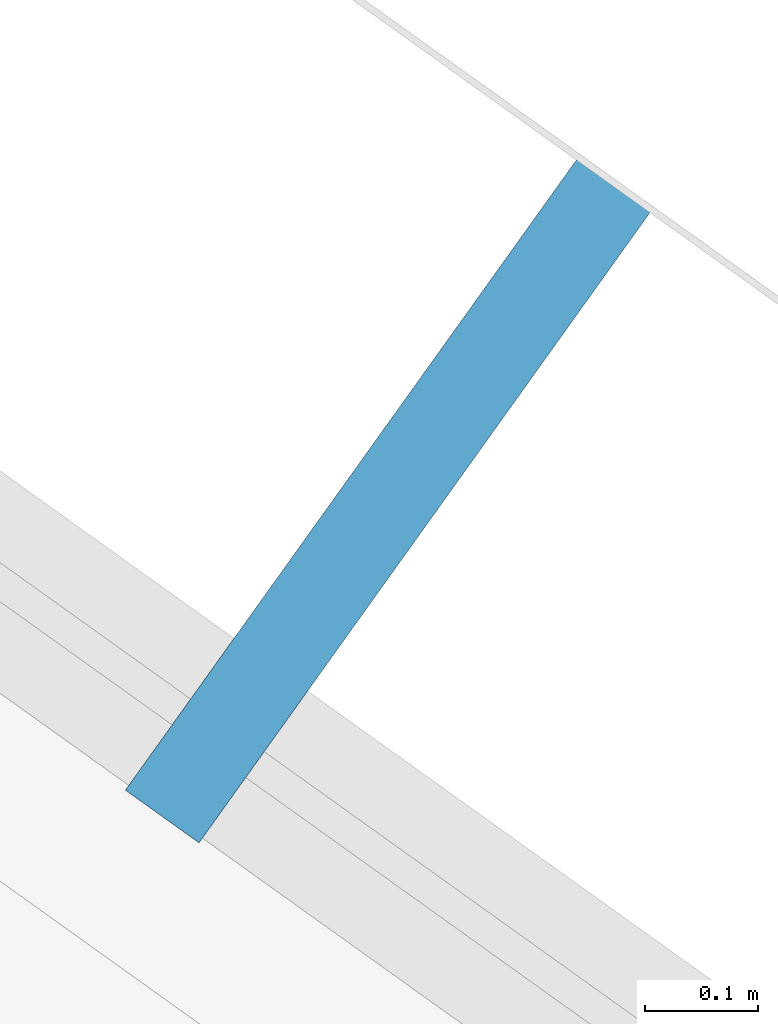
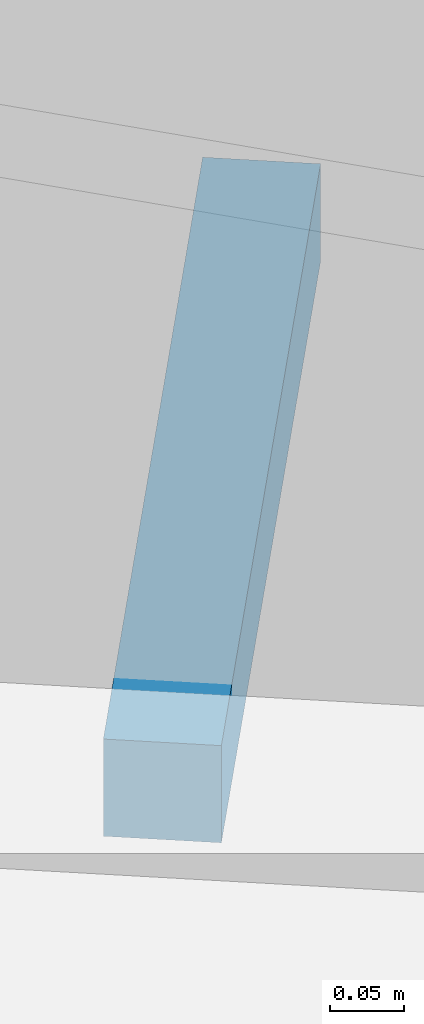
# One storey, part 15 of 18: 1 discrete accessory.
"""IFC4 building model written with IfcOpenShell, lengths in metres."""

from ifc_helpers import new_model, si_unit, direction, frame, origin, origin_2d, place, context, subcontext, project, spatial, rectangle, extrude, element, save


model = new_model("IFC4")

# Units and contexts
model_context = context("Model", 3, precision=1e-05, world=origin(), true_north=direction((0.0, 1.0)))
body_context = subcontext(model_context, "Body", "Model", "MODEL_VIEW")
ifc_project = project(units=[si_unit("LENGTHUNIT", "METRE"), si_unit("AREAUNIT", "SQUARE_METRE"), si_unit("VOLUMEUNIT", "CUBIC_METRE"), si_unit("PLANEANGLEUNIT", "RADIAN"), si_unit("MASSUNIT", "GRAM", prefix="KILO")], contexts=[model_context])

# Site, building, storey
site_placement = place(None, origin())
site = spatial("IfcSite", under=ifc_project, at=site_placement, CompositionType="ELEMENT")
building_placement = place(site_placement, origin())
building = spatial("IfcBuilding", under=site, at=building_placement, Name="Lantaw Convention Tower", CompositionType="ELEMENT")
storey_placement = place(building_placement, frame((0.0, 0.0, 130.0)))
storey = spatial("IfcBuildingStorey", under=building, at=storey_placement, Name="L30", CompositionType="ELEMENT", Elevation=130.0)

# Discrete accessory
discrete_accessory_placement = place(storey_placement, frame((22.044189453125, 14.10546875, -0.114990234375), z_axis=(0.0, 0.0, 1.0), x_axis=(-0.813208325995, 0.581972695693, 0.0)))
element("IfcDiscreteAccessory", 1, at=discrete_accessory_placement, inside=storey, Name="Screen bracket", PredefinedType="BRACKET", context=body_context, shape_type="SweptSolid", body=[
    extrude(rectangle(XDim=0.080078125, YDim=0.68798828125, at=origin_2d()), origin(), (0.0, 0.0, 1.0), 0.080078125),
])

save(model, "model.ifc")
